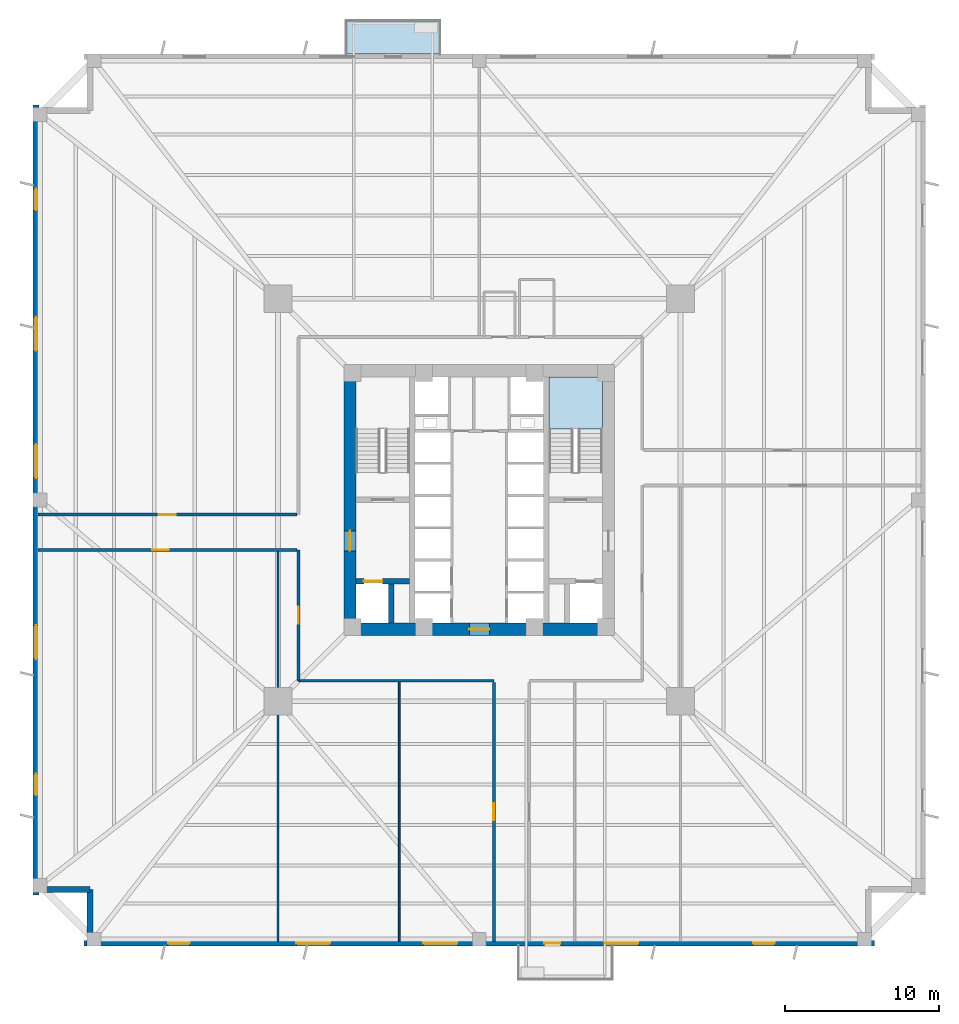
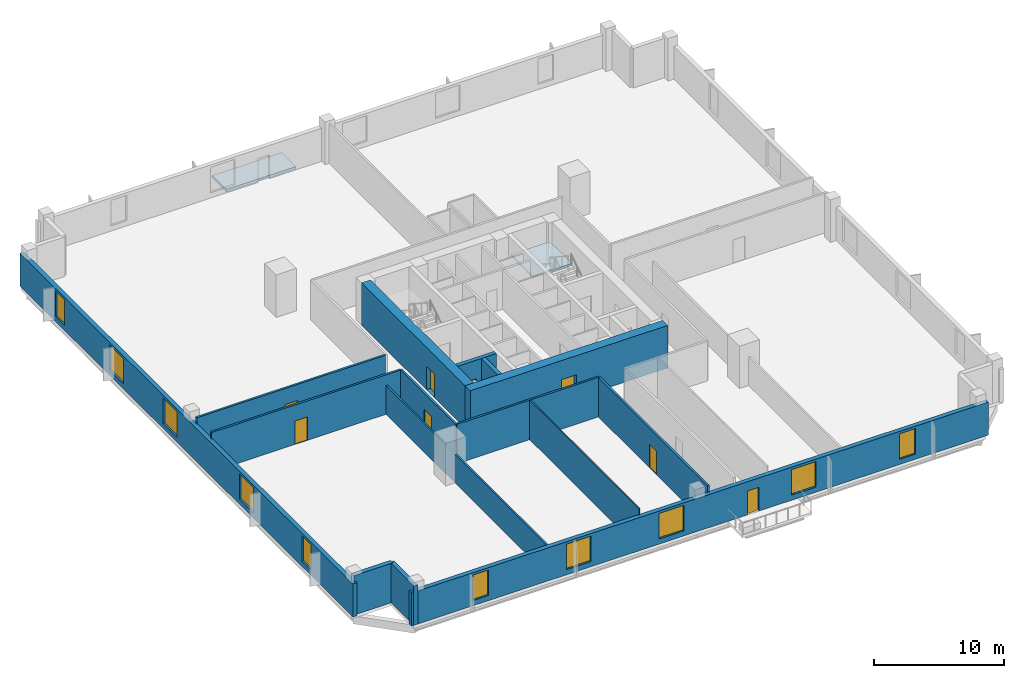
# One storey, part 2 of 8: 15 walls, 10 windows, 8 doors, 2 slabs, 18 openings, 1 element without a shape of its own.
"""IFC4 building model written with IfcOpenShell, lengths in metres."""

from ifc_helpers import new_model, si_unit, direction, frame, frame_2d, origin, place, context, subcontext, project, spatial, polyline, rectangle, outline, extrude, source, transform, mapped, material, layer, layer_set, type_object, element, fill, aggregate, save


model = new_model("IFC4")

# Units and contexts
model_context = context("Model", 3, precision=1e-05, world=origin(), true_north=direction((0.0, 1.0)))
body_context = subcontext(model_context, "Body", "Model", "MODEL_VIEW")
ifc_project = project(units=[si_unit("LENGTHUNIT", "METRE"), si_unit("AREAUNIT", "SQUARE_METRE"), si_unit("VOLUMEUNIT", "CUBIC_METRE"), si_unit("PLANEANGLEUNIT", "RADIAN"), si_unit("MASSUNIT", "GRAM", prefix="KILO"), si_unit("THERMODYNAMICTEMPERATUREUNIT", "KELVIN")], contexts=[model_context])

# Site, building, storey
site_placement = place(None, origin())
site = spatial("IfcSite", under=ifc_project, at=site_placement, CompositionType="ELEMENT")
building_placement = place(site_placement, origin())
building = spatial("IfcBuilding", under=site, at=building_placement, Name="Kosmvard Interchange Tower", CompositionType="ELEMENT")
storey_placement = place(building_placement, frame((0.0, 0.0, 50.0)))
storey = spatial("IfcBuildingStorey", under=building, at=storey_placement, Name="L11", CompositionType="ELEMENT", Elevation=50.0)

# Stair, slab
ifc_material_1 = material(Name="Concrete C50/60", Category="concrete")
stair_type = type_object("IfcStairType", Name="Dog-Leg Core Exit Stair H4000 C50/60", PredefinedType="HALF_TURN_STAIR", material=ifc_material_1)
stair_placement = place(storey_placement, origin())
stair = element("IfcStair", 1, at=stair_placement, inside=storey, type_object=stair_type, Name="L11 Protected Exit Stair ST-2", PredefinedType="HALF_TURN_STAIR")
ifc_layer_1 = layer(ifc_material_1, 0.199951171875, Name="Concrete C50/60")
ifc_layer_set_1 = layer_set([ifc_layer_1], Name="Concrete C50/60")
slab_type_1 = type_object("IfcSlabType", Name="Stair Half-Landing Slab 200 C50/60", PredefinedType="LANDING", material=ifc_layer_set_1)
slab_1_placement = place(storey_placement, frame((0.0, 0.0, 1.800048828125)))
slab_1 = element("IfcSlab", 2, at=slab_1_placement, type_object=slab_type_1, Name="ST-2 landing 1", PredefinedType="LANDING", context=body_context, shape_type="SweptSolid", body=[
    extrude(outline(polyline([(8.0, 4.60009765625), (8.0, 8.0), (4.5400390625, 8.0), (4.5400390625, 4.60009765625), (8.0, 4.60009765625)])), origin(), (0.0, 0.0, 1.0), 0.199951171875),
])
aggregate(stair, [slab_1])

# Slab
ifc_layer_2 = layer(ifc_material_1, 0.22998046875, Name="Concrete C50/60")
ifc_layer_set_2 = layer_set([ifc_layer_2], Name="Concrete C50/60")
slab_type_2 = type_object("IfcSlabType", Name="Tree-Planter Cantilever Balcony Slab 230 C50/60", PredefinedType="FLOOR", material=ifc_layer_set_2)
slab_2_placement = place(storey_placement, frame((0.0, 0.0, -0.22998046875)))
element("IfcSlab", 3, at=slab_2_placement, inside=storey, type_object=slab_type_2, Name="L11 Outdoor Terrace Balcony Slab BAL-L11-NE", PredefinedType="FLOOR", context=body_context, shape_type="SweptSolid", body=[
    extrude(outline(polyline([(-8.699951171875, 29.0), (-2.5, 29.0), (-2.5, 31.199951171875), (-8.699951171875, 31.199951171875), (-8.699951171875, 29.0)])), origin(), (0.0, 0.0, 1.0), 0.22998046875),
])

# Walls
ifc_material_2 = material(Name="Acoustic gypsum partition system")
ifc_layer_3 = layer(ifc_material_2, 0.14990234375, Name="Acoustic gypsum partition system")
ifc_layer_set_3 = layer_set([ifc_layer_3], Name="Acoustic gypsum partition system")
wall_type_1 = type_object("IfcWallType", Name="Acoustic Suite & Meeting Partition 150", PredefinedType="PARTITIONING", material=ifc_layer_set_3)
wall_1_placement = place(storey_placement, frame((-13.0810546875, -28.68505859375, 0.0), z_axis=(0.0, 0.0, 1.0), x_axis=(0.0, 1.0, 0.0)))
element("IfcWall", 4, at=wall_1_placement, inside=storey, type_object=wall_type_1, Name="L11 Room Partition 04.1", PredefinedType="PARTITIONING", context=body_context, shape_type="SweptSolid", body=[
    extrude(rectangle(XDim=25.340087890625, YDim=0.14990234375, at=frame_2d((12.669921875, 0.0))), origin(), (0.0, 0.0, 1.0), 2.7119140625),
])
ifc_material_3 = material(Name="Fire-rated gypsum partition system")
ifc_layer_4 = layer(ifc_material_3, 0.179931640625, Name="Fire-rated gypsum partition system")
ifc_layer_set_4 = layer_set([ifc_layer_4], Name="Fire-rated gypsum partition system")
wall_type_2 = type_object("IfcWallType", Name="Corridor & Hotel Compartment Partition 180", PredefinedType="PARTITIONING", material=ifc_layer_set_4)
wall_2_placement = place(storey_placement, frame((-11.75, -11.75, 0.0), z_axis=(0.0, 0.0, 1.0), x_axis=(1.0, 0.0, 0.0)))
element("IfcWall", 5, at=wall_2_placement, inside=storey, type_object=wall_type_2, Name="L11 Corridor Wall CSW", PredefinedType="PARTITIONING", context=body_context, shape_type="SweptSolid", body=[
    extrude(rectangle(XDim=12.699951171875, YDim=0.179931640625, at=frame_2d((6.35009765625, 0.0))), origin(), (0.0, 0.0, 1.0), 3.719970703125),
])

# Wall, opening, door
wall_3_placement = place(storey_placement, frame((-11.75, -11.75, 0.0), z_axis=(0.0, 0.0, 1.0), x_axis=(0.0, 1.0, 0.0)))
wall_3 = element("IfcWall", 6, at=wall_3_placement, inside=storey, type_object=wall_type_2, Name="L11 Corridor Wall CWS", PredefinedType="PARTITIONING", context=body_context, shape_type="SweptSolid", body=[
    extrude(rectangle(XDim=8.5, YDim=0.179931640625, at=frame_2d((4.25, 0.0))), origin(), (0.0, 0.0, 1.0), 3.719970703125),
])
opening_1_placement = place(wall_3_placement, frame((3.699951171875, 0.0, 0.0)))
opening_1 = element("IfcOpeningElement", 7, at=opening_1_placement, cuts=wall_3, Name="Opening L11-D09", PredefinedType="OPENING", context=body_context, shape_type="SweptSolid", body=[
    extrude(rectangle(XDim=1.10009765625, YDim=2.199951171875, at=frame_2d((0.550048828125, 1.10009765625))), frame((0.0, 0.10009765625, 0.0), z_axis=(0.0, -1.0, 0.0), x_axis=(1.0, 0.0, 0.0)), (0.0, 0.0, 1.0), 0.199951171875),
])
ifc_material_4 = material(Name="Engineered oak fire-rated timber", Category="wood")
door_type_1 = type_object("IfcDoorType", Name="Office Suite Entrance Door 1100x2200 FD30S", OperationType="NOTDEFINED", PredefinedType="DOOR", material=ifc_material_4)
shared_shape_1 = source(origin(), body_context, "Body", "SweptSolid", [
    extrude(rectangle(XDim=1.10009765625, YDim=2.199951171875, at=frame_2d((0.550048828125, 1.10009765625))), frame((0.0, 0.02490234375, 0.0), z_axis=(0.0, -1.0, 0.0), x_axis=(1.0, 0.0, 0.0)), (0.0, 0.0, 1.0), 0.050048828125),
])
door_1_placement = place(opening_1_placement, origin())
door_1 = element("IfcDoor", 8, at=door_1_placement, inside=storey, type_object=door_type_1, Name="L11 Breakout Tea Pantry Door", OperationType="SINGLE_SWING_LEFT", OverallHeight=2.199951171875, OverallWidth=1.10009765625, PredefinedType="DOOR", context=body_context, shape_type="MappedRepresentation", body=[
    mapped(shared_shape_1, transform((0.0, 0.0, 0.0), scale=1.0)),
])
fill(opening_1, door_1)

wall_4_placement = place(storey_placement, frame((-28.68505859375, -3.25, 0.0), z_axis=(0.0, 0.0, 1.0), x_axis=(1.0, 0.0, 0.0)))
wall_4 = element("IfcWall", 9, at=wall_4_placement, inside=storey, type_object=wall_type_2, Name="L11 Corridor Wall SWS", PredefinedType="PARTITIONING", context=body_context, shape_type="SweptSolid", body=[
    extrude(rectangle(XDim=16.8349609375, YDim=0.179931640625, at=frame_2d((8.41748046875, 0.0))), origin(), (0.0, 0.0, 1.0), 3.719970703125),
])
opening_2_placement = place(wall_4_placement, frame((7.41650390625, 0.0, 0.0)))
opening_2 = element("IfcOpeningElement", 10, at=opening_2_placement, cuts=wall_4, Name="Opening L11-D08", PredefinedType="OPENING", context=body_context, shape_type="SweptSolid", body=[
    extrude(rectangle(XDim=1.10009765625, YDim=2.199951171875, at=frame_2d((0.550048828125, 1.10009765625))), frame((0.0, 0.10009765625, 0.0), z_axis=(0.0, -1.0, 0.0), x_axis=(1.0, 0.0, 0.0)), (0.0, 0.0, 1.0), 0.199951171875),
])
door_2_placement = place(opening_2_placement, frame((1.10009765625, 0.0, 0.0), z_axis=(0.0, 0.0, 1.0), x_axis=(-1.0, 0.0, 0.0)))
door_2 = element("IfcDoor", 11, at=door_2_placement, inside=storey, type_object=door_type_1, Name="L11 West Open Design Studio Door", OperationType="SINGLE_SWING_RIGHT", OverallHeight=2.199951171875, OverallWidth=1.10009765625, PredefinedType="DOOR", context=body_context, shape_type="MappedRepresentation", body=[
    mapped(shared_shape_1, transform((0.0, 0.0, 0.0), scale=1.0)),
])
fill(opening_2, door_2)

wall_5_placement = place(storey_placement, frame((-28.68505859375, -0.949951171875, 0.0), z_axis=(0.0, 0.0, 1.0), x_axis=(1.0, 0.0, 0.0)))
wall_5 = element("IfcWall", 12, at=wall_5_placement, inside=storey, type_object=wall_type_2, Name="L11 Corridor Wall SWN", PredefinedType="PARTITIONING", context=body_context, shape_type="SweptSolid", body=[
    extrude(rectangle(XDim=16.8349609375, YDim=0.179931640625, at=frame_2d((8.41748046875, 0.0))), origin(), (0.0, 0.0, 1.0), 3.719970703125),
])
opening_3_placement = place(wall_5_placement, frame((7.867431640625, 0.0, 0.0)))
opening_3 = element("IfcOpeningElement", 13, at=opening_3_placement, cuts=wall_5, Name="Opening L11-D03", PredefinedType="OPENING", context=body_context, shape_type="SweptSolid", body=[
    extrude(rectangle(XDim=1.10009765625, YDim=2.199951171875, at=frame_2d((0.550048828125, 1.10009765625))), frame((0.0, 0.10009765625, 0.0), z_axis=(0.0, -1.0, 0.0), x_axis=(1.0, 0.0, 0.0)), (0.0, 0.0, 1.0), 0.199951171875),
])
door_3_placement = place(opening_3_placement, origin())
door_3 = element("IfcDoor", 14, at=door_3_placement, inside=storey, type_object=door_type_1, Name="L11 Technical Reference Library Door", OperationType="SINGLE_SWING_LEFT", OverallHeight=2.199951171875, OverallWidth=1.10009765625, PredefinedType="DOOR", context=body_context, shape_type="MappedRepresentation", body=[
    mapped(shared_shape_1, transform((0.0, 0.0, 0.0), scale=1.0)),
])
fill(opening_3, door_3)

wall_6_placement = place(storey_placement, frame((0.949951171875, -28.68505859375, 0.0), z_axis=(0.0, 0.0, 1.0), x_axis=(0.0, 1.0, 0.0)))
wall_6 = element("IfcWall", 15, at=wall_6_placement, inside=storey, type_object=wall_type_2, Name="L11 Corridor Wall SSW", PredefinedType="PARTITIONING", context=body_context, shape_type="SweptSolid", body=[
    extrude(rectangle(XDim=16.8349609375, YDim=0.179931640625, at=frame_2d((8.41748046875, 0.0))), origin(), (0.0, 0.0, 1.0), 3.719970703125),
])
opening_4_placement = place(wall_6_placement, frame((7.867431640625, 0.0, 0.0)))
opening_4 = element("IfcOpeningElement", 16, at=opening_4_placement, cuts=wall_6, Name="Opening L11-D10", PredefinedType="OPENING", context=body_context, shape_type="SweptSolid", body=[
    extrude(rectangle(XDim=1.10009765625, YDim=2.199951171875, at=frame_2d((0.550048828125, 1.10009765625))), frame((0.0, 0.10009765625, 0.0), z_axis=(0.0, -1.0, 0.0), x_axis=(1.0, 0.0, 0.0)), (0.0, 0.0, 1.0), 0.199951171875),
])
door_4_placement = place(opening_4_placement, origin())
door_4 = element("IfcDoor", 17, at=door_4_placement, inside=storey, type_object=door_type_1, Name="L11 Tenant Archive Store Door", OperationType="SINGLE_SWING_RIGHT", OverallHeight=2.199951171875, OverallWidth=1.10009765625, PredefinedType="DOOR", context=body_context, shape_type="MappedRepresentation", body=[
    mapped(shared_shape_1, transform((0.0, 0.0, 0.0), scale=1.0)),
])
fill(opening_4, door_4)

ifc_material_5 = material(Name="Concrete C80/95", Category="concrete")
ifc_layer_5 = layer(ifc_material_5, 0.800048828125, Name="Concrete C80/95")
ifc_layer_set_5 = layer_set([ifc_layer_5], Name="Concrete C80/95")
wall_type_3 = type_object("IfcWallType", Name="Lower Core Shear Wall 800 C80/95", PredefinedType="SHEAR", material=ifc_layer_set_5)
wall_7_placement = place(storey_placement, frame((-8.800048828125, -8.39990234375, 0.0), z_axis=(0.0, 0.0, 1.0), x_axis=(1.0, 0.0, 0.0)))
wall_7 = element("IfcWall", 18, at=wall_7_placement, inside=storey, type_object=wall_type_3, Name="L11 Core Shear Wall CW-S", PredefinedType="SHEAR", context=body_context, shape_type="SweptSolid", body=[
    extrude(rectangle(XDim=17.60009765625, YDim=0.800048828125, at=frame_2d((8.800048828125, 0.0))), origin(), (0.0, 0.0, 1.0), 4.0),
])
opening_5_placement = place(wall_7_placement, frame((8.14990234375, 0.0, 0.0)))
opening_5 = element("IfcOpeningElement", 19, at=opening_5_placement, cuts=wall_7, Name="Opening L11-LD0", PredefinedType="OPENING", context=body_context, shape_type="SweptSolid", body=[
    extrude(rectangle(XDim=1.300048828125, YDim=2.199951171875, at=frame_2d((0.64990234375, 1.10009765625))), frame((0.0, 0.41015625, 0.0), z_axis=(0.0, -1.0, 0.0), x_axis=(1.0, 0.0, 0.0)), (0.0, 0.0, 1.0), 0.820068359375),
])
ifc_material_6 = material(Name="Painted fire-rated steel leaf", Category="steel")
door_type_2 = type_object("IfcDoorType", Name="Firefighting Lobby Door 1300x2200 EI60", OperationType="NOTDEFINED", PredefinedType="DOOR", material=ifc_material_6)
shared_shape_2 = source(origin(), body_context, "Body", "SweptSolid", [
    extrude(rectangle(XDim=1.300048828125, YDim=2.199951171875, at=frame_2d((0.64990234375, 1.10009765625))), frame((0.0, 0.02490234375, 0.0), z_axis=(0.0, -1.0, 0.0), x_axis=(1.0, 0.0, 0.0)), (0.0, 0.0, 1.0), 0.050048828125),
])
door_5_placement = place(opening_5_placement, frame((1.300048828125, 0.0, 0.0), z_axis=(0.0, 0.0, 1.0), x_axis=(-1.0, 0.0, 0.0)))
door_5 = element("IfcDoor", 20, at=door_5_placement, inside=storey, type_object=door_type_2, Name="L11 Passenger Lift Lobby South Door", OperationType="SINGLE_SWING_LEFT", OverallHeight=2.199951171875, OverallWidth=1.300048828125, PredefinedType="DOOR", context=body_context, shape_type="MappedRepresentation", body=[
    mapped(shared_shape_2, transform((0.0, 0.0, 0.0), scale=1.0)),
])
fill(opening_5, door_5)

wall_8_placement = place(storey_placement, frame((-8.39990234375, -8.0, 0.0), z_axis=(0.0, 0.0, 1.0), x_axis=(0.0, 1.0, 0.0)))
wall_8 = element("IfcWall", 21, at=wall_8_placement, inside=storey, type_object=wall_type_3, Name="L11 Core Shear Wall CW-W", PredefinedType="SHEAR", context=body_context, shape_type="SweptSolid", body=[
    extrude(rectangle(XDim=16.0, YDim=0.800048828125, at=frame_2d((8.0, 0.0))), origin(), (0.0, 0.0, 1.0), 4.0),
])
opening_6_placement = place(wall_8_placement, frame((4.68994140625, 0.0, 0.0)))
opening_6 = element("IfcOpeningElement", 22, at=opening_6_placement, cuts=wall_8, Name="Opening L11-FD1", PredefinedType="OPENING", context=body_context, shape_type="SweptSolid", body=[
    extrude(rectangle(XDim=1.300048828125, YDim=2.199951171875, at=frame_2d((0.64990234375, 1.10009765625))), frame((0.0, 0.41015625, 0.0), z_axis=(0.0, -1.0, 0.0), x_axis=(1.0, 0.0, 0.0)), (0.0, 0.0, 1.0), 0.820068359375),
])
door_6_placement = place(opening_6_placement, frame((1.300048828125, 0.0, 0.0), z_axis=(0.0, 0.0, 1.0), x_axis=(-1.0, 0.0, 0.0)))
door_6 = element("IfcDoor", 23, at=door_6_placement, inside=storey, type_object=door_type_2, Name="L11 Firefighting Lobby West Door", OperationType="SINGLE_SWING_LEFT", OverallHeight=2.199951171875, OverallWidth=1.300048828125, PredefinedType="DOOR", context=body_context, shape_type="MappedRepresentation", body=[
    mapped(shared_shape_2, transform((0.0, 0.0, 0.0), scale=1.0)),
])
fill(opening_6, door_6)

# Wall, openings, door, windows
ifc_material_7 = material(Name="Precast concrete C45/55", Category="concrete")
ifc_layer_6 = layer(ifc_material_7, 0.3798828125, Name="Precast concrete C45/55")
ifc_layer_set_6 = layer_set([ifc_layer_6], Name="Precast concrete C45/55")
wall_type_4 = type_object("IfcWallType", Name="Lower Tower Precast Pier Wall 380 C45/55", PredefinedType="STANDARD", material=ifc_layer_set_6)
wall_9_placement = place(storey_placement, frame((-25.68994140625, -28.81005859375, 0.0), z_axis=(0.0, 0.0, 1.0), x_axis=(1.0, 0.0, 0.0)))
wall_9 = element("IfcWall", 24, at=wall_9_placement, inside=storey, type_object=wall_type_4, Name="L11 Precast Facade Wall F-S", PredefinedType="STANDARD", context=body_context, shape_type="SweptSolid", body=[
    extrude(rectangle(XDim=51.3798828125, YDim=0.3798828125, at=frame_2d((25.68994140625, 0.0))), origin(), (0.0, 0.0, 1.0), 3.1201171875),
])
opening_7_placement = place(wall_9_placement, frame((29.9150390625, 0.0, 0.0)))
opening_7 = element("IfcOpeningElement", 25, at=opening_7_placement, cuts=wall_9, Name="Opening L11-BDW", PredefinedType="OPENING", context=body_context, shape_type="SweptSolid", body=[
    extrude(rectangle(XDim=1.050048828125, YDim=2.25, at=frame_2d((0.52490234375, 1.125))), frame((0.0, 0.199951171875, 0.0), z_axis=(0.0, -1.0, 0.0), x_axis=(1.0, 0.0, 0.0)), (0.0, 0.0, 1.0), 0.39990234375),
])
opening_8_placement = place(wall_9_placement, frame((5.465576171875, 0.0, 0.489990234375)))
opening_8 = element("IfcOpeningElement", 26, at=opening_8_placement, cuts=wall_9, Name="Opening L11-W01", PredefinedType="OPENING", context=body_context, shape_type="SweptSolid", body=[
    extrude(rectangle(XDim=1.39990234375, YDim=2.39990234375, at=frame_2d((0.699951171875, 1.199951171875))), frame((0.0, 0.199951171875, 0.0), z_axis=(0.0, -1.0, 0.0), x_axis=(1.0, 0.0, 0.0)), (0.0, 0.0, 1.0), 0.39990234375),
])
opening_9_placement = place(wall_9_placement, frame((13.80029296875, 0.0, 0.489990234375)))
opening_9 = element("IfcOpeningElement", 27, at=opening_9_placement, cuts=wall_9, Name="Opening L11-W02", PredefinedType="OPENING", context=body_context, shape_type="SweptSolid", body=[
    extrude(rectangle(XDim=2.199951171875, YDim=2.39990234375, at=frame_2d((1.10009765625, 1.199951171875))), frame((0.0, 0.199951171875, 0.0), z_axis=(0.0, -1.0, 0.0), x_axis=(1.0, 0.0, 0.0)), (0.0, 0.0, 1.0), 0.39990234375),
])
opening_10_placement = place(wall_9_placement, frame((22.0625, 0.0, 0.489990234375)))
opening_10 = element("IfcOpeningElement", 28, at=opening_10_placement, cuts=wall_9, Name="Opening L11-W03", PredefinedType="OPENING", context=body_context, shape_type="SweptSolid", body=[
    extrude(rectangle(XDim=2.199951171875, YDim=2.39990234375, at=frame_2d((1.10009765625, 1.199951171875))), frame((0.0, 0.199951171875, 0.0), z_axis=(0.0, -1.0, 0.0), x_axis=(1.0, 0.0, 0.0)), (0.0, 0.0, 1.0), 0.39990234375),
])
opening_11_placement = place(wall_9_placement, frame((33.83837890625, 0.0, 0.489990234375)))
opening_11 = element("IfcOpeningElement", 29, at=opening_11_placement, cuts=wall_9, Name="Opening L11-W04", PredefinedType="OPENING", context=body_context, shape_type="SweptSolid", body=[
    extrude(rectangle(XDim=2.199951171875, YDim=2.39990234375, at=frame_2d((1.10009765625, 1.199951171875))), frame((0.0, 0.199951171875, 0.0), z_axis=(0.0, -1.0, 0.0), x_axis=(1.0, 0.0, 0.0)), (0.0, 0.0, 1.0), 0.39990234375),
])
opening_12_placement = place(wall_9_placement, frame((43.48681640625, 0.0, 0.489990234375)))
opening_12 = element("IfcOpeningElement", 30, at=opening_12_placement, cuts=wall_9, Name="Opening L11-W05", PredefinedType="OPENING", context=body_context, shape_type="SweptSolid", body=[
    extrude(rectangle(XDim=1.39990234375, YDim=2.39990234375, at=frame_2d((0.699951171875, 1.199951171875))), frame((0.0, 0.199951171875, 0.0), z_axis=(0.0, -1.0, 0.0), x_axis=(1.0, 0.0, 0.0)), (0.0, 0.0, 1.0), 0.39990234375),
])
ifc_material_8 = material(Name="Anodised aluminium and safety glass", Category="aluminium")
door_type_3 = type_object("IfcDoorType", Name="Tree-Balcony Glazed Door 1050x2250", OperationType="NOTDEFINED", PredefinedType="DOOR", material=ifc_material_8)
shared_shape_3 = source(origin(), body_context, "Body", "SweptSolid", [
    extrude(rectangle(XDim=1.050048828125, YDim=2.25, at=frame_2d((0.52490234375, 1.125))), frame((0.0, 0.02490234375, 0.0), z_axis=(0.0, -1.0, 0.0), x_axis=(1.0, 0.0, 0.0)), (0.0, 0.0, 1.0), 0.050048828125),
])
door_7_placement = place(opening_7_placement, origin())
door_7 = element("IfcDoor", 31, at=door_7_placement, inside=storey, type_object=door_type_3, Name="L11 Tree-Balcony Door BAL-L11-SW", OperationType="SINGLE_SWING_RIGHT", OverallHeight=2.25, OverallWidth=1.050048828125, PredefinedType="DOOR", context=body_context, shape_type="MappedRepresentation", body=[
    mapped(shared_shape_3, transform((0.0, 0.0, 0.0), scale=1.0)),
])
fill(opening_7, door_7)
ifc_material_9 = material(Name="Low-E solar-control double glazing", Category="glass")
window_type_1 = type_object("IfcWindowType", Name="Notched Corner Feature Window 1400x2400", PartitioningType="SINGLE_PANEL", PredefinedType="WINDOW", material=ifc_material_9)
shared_shape_4 = source(origin(), body_context, "Body", "SweptSolid", [
    extrude(rectangle(XDim=1.39990234375, YDim=2.39990234375, at=frame_2d((0.699951171875, 1.199951171875))), frame((0.0, 0.030029296875, 0.0), z_axis=(0.0, -1.0, 0.0), x_axis=(1.0, 0.0, 0.0)), (0.0, 0.0, 1.0), 0.06005859375),
])
window_1_placement = place(opening_8_placement, origin())
window_1 = element("IfcWindow", 32, at=window_1_placement, inside=storey, type_object=window_type_1, Name="L11 Facade Punched Window 01", OverallHeight=2.39990234375, OverallWidth=1.39990234375, PartitioningType="SINGLE_PANEL", PredefinedType="WINDOW", context=body_context, shape_type="MappedRepresentation", body=[
    mapped(shared_shape_4, transform((0.0, 0.0, 0.0), scale=1.0)),
])
fill(opening_8, window_1)
window_2_placement = place(opening_12_placement, origin())
window_2 = element("IfcWindow", 33, at=window_2_placement, inside=storey, type_object=window_type_1, Name="L11 Facade Punched Window 05", OverallHeight=2.39990234375, OverallWidth=1.39990234375, PartitioningType="SINGLE_PANEL", PredefinedType="WINDOW", context=body_context, shape_type="MappedRepresentation", body=[
    mapped(shared_shape_4, transform((0.0, 0.0, 0.0), scale=1.0)),
])
fill(opening_12, window_2)
window_type_2 = type_object("IfcWindowType", Name="Zone 1 Office Punched Window 2200x2400", PartitioningType="SINGLE_PANEL", PredefinedType="WINDOW", material=ifc_material_9)
shared_shape_5 = source(origin(), body_context, "Body", "SweptSolid", [
    extrude(rectangle(XDim=2.199951171875, YDim=2.39990234375, at=frame_2d((1.10009765625, 1.199951171875))), frame((0.0, 0.030029296875, 0.0), z_axis=(0.0, -1.0, 0.0), x_axis=(1.0, 0.0, 0.0)), (0.0, 0.0, 1.0), 0.06005859375),
])
window_3_placement = place(opening_9_placement, origin())
window_3 = element("IfcWindow", 34, at=window_3_placement, inside=storey, type_object=window_type_2, Name="L11 Facade Punched Window 02", OverallHeight=2.39990234375, OverallWidth=2.199951171875, PartitioningType="SINGLE_PANEL", PredefinedType="WINDOW", context=body_context, shape_type="MappedRepresentation", body=[
    mapped(shared_shape_5, transform((0.0, 0.0, 0.0), scale=1.0)),
])
fill(opening_9, window_3)
window_4_placement = place(opening_10_placement, origin())
window_4 = element("IfcWindow", 35, at=window_4_placement, inside=storey, type_object=window_type_2, Name="L11 Facade Punched Window 03", OverallHeight=2.39990234375, OverallWidth=2.199951171875, PartitioningType="SINGLE_PANEL", PredefinedType="WINDOW", context=body_context, shape_type="MappedRepresentation", body=[
    mapped(shared_shape_5, transform((0.0, 0.0, 0.0), scale=1.0)),
])
fill(opening_10, window_4)
window_5_placement = place(opening_11_placement, origin())
window_5 = element("IfcWindow", 36, at=window_5_placement, inside=storey, type_object=window_type_2, Name="L11 Facade Punched Window 04", OverallHeight=2.39990234375, OverallWidth=2.199951171875, PartitioningType="SINGLE_PANEL", PredefinedType="WINDOW", context=body_context, shape_type="MappedRepresentation", body=[
    mapped(shared_shape_5, transform((0.0, 0.0, 0.0), scale=1.0)),
])
fill(opening_11, window_5)

# Wall, openings, windows
wall_10_placement = place(storey_placement, frame((-28.81005859375, 25.68994140625, 0.0), z_axis=(0.0, 0.0, 1.0), x_axis=(0.0, -1.0, 0.0)))
wall_10 = element("IfcWall", 37, at=wall_10_placement, inside=storey, type_object=wall_type_4, Name="L11 Precast Facade Wall F-W", PredefinedType="STANDARD", context=body_context, shape_type="SweptSolid", body=[
    extrude(rectangle(XDim=51.3798828125, YDim=0.3798828125, at=frame_2d((25.68994140625, 0.0))), origin(), (0.0, 0.0, 1.0), 3.1201171875),
])
opening_13_placement = place(wall_10_placement, frame((5.465576171875, 0.0, 0.489990234375)))
opening_13 = element("IfcOpeningElement", 38, at=opening_13_placement, cuts=wall_10, Name="Opening L11-W16", PredefinedType="OPENING", context=body_context, shape_type="SweptSolid", body=[
    extrude(rectangle(XDim=1.39990234375, YDim=2.39990234375, at=frame_2d((0.699951171875, 1.199951171875))), frame((0.0, 0.199951171875, 0.0), z_axis=(0.0, -1.0, 0.0), x_axis=(1.0, 0.0, 0.0)), (0.0, 0.0, 1.0), 0.39990234375),
])
opening_14_placement = place(wall_10_placement, frame((13.80029296875, 0.0, 0.489990234375)))
opening_14 = element("IfcOpeningElement", 39, at=opening_14_placement, cuts=wall_10, Name="Opening L11-W17", PredefinedType="OPENING", context=body_context, shape_type="SweptSolid", body=[
    extrude(rectangle(XDim=2.199951171875, YDim=2.39990234375, at=frame_2d((1.10009765625, 1.199951171875))), frame((0.0, 0.199951171875, 0.0), z_axis=(0.0, -1.0, 0.0), x_axis=(1.0, 0.0, 0.0)), (0.0, 0.0, 1.0), 0.39990234375),
])
opening_15_placement = place(wall_10_placement, frame((22.0625, 0.0, 0.489990234375)))
opening_15 = element("IfcOpeningElement", 40, at=opening_15_placement, cuts=wall_10, Name="Opening L11-W18", PredefinedType="OPENING", context=body_context, shape_type="SweptSolid", body=[
    extrude(rectangle(XDim=2.199951171875, YDim=2.39990234375, at=frame_2d((1.10009765625, 1.199951171875))), frame((0.0, 0.199951171875, 0.0), z_axis=(0.0, -1.0, 0.0), x_axis=(1.0, 0.0, 0.0)), (0.0, 0.0, 1.0), 0.39990234375),
])
opening_16_placement = place(wall_10_placement, frame((33.83837890625, 0.0, 0.489990234375)))
opening_16 = element("IfcOpeningElement", 41, at=opening_16_placement, cuts=wall_10, Name="Opening L11-W19", PredefinedType="OPENING", context=body_context, shape_type="SweptSolid", body=[
    extrude(rectangle(XDim=2.199951171875, YDim=2.39990234375, at=frame_2d((1.10009765625, 1.199951171875))), frame((0.0, 0.199951171875, 0.0), z_axis=(0.0, -1.0, 0.0), x_axis=(1.0, 0.0, 0.0)), (0.0, 0.0, 1.0), 0.39990234375),
])
opening_17_placement = place(wall_10_placement, frame((43.48681640625, 0.0, 0.489990234375)))
opening_17 = element("IfcOpeningElement", 42, at=opening_17_placement, cuts=wall_10, Name="Opening L11-W20", PredefinedType="OPENING", context=body_context, shape_type="SweptSolid", body=[
    extrude(rectangle(XDim=1.39990234375, YDim=2.39990234375, at=frame_2d((0.699951171875, 1.199951171875))), frame((0.0, 0.199951171875, 0.0), z_axis=(0.0, -1.0, 0.0), x_axis=(1.0, 0.0, 0.0)), (0.0, 0.0, 1.0), 0.39990234375),
])
window_6_placement = place(opening_13_placement, origin())
window_6 = element("IfcWindow", 43, at=window_6_placement, inside=storey, type_object=window_type_1, Name="L11 Facade Punched Window 16", OverallHeight=2.39990234375, OverallWidth=1.39990234375, PartitioningType="SINGLE_PANEL", PredefinedType="WINDOW", context=body_context, shape_type="MappedRepresentation", body=[
    mapped(shared_shape_4, transform((0.0, 0.0, 0.0), scale=1.0)),
])
fill(opening_13, window_6)
window_7_placement = place(opening_17_placement, origin())
window_7 = element("IfcWindow", 44, at=window_7_placement, inside=storey, type_object=window_type_1, Name="L11 Facade Punched Window 20", OverallHeight=2.39990234375, OverallWidth=1.39990234375, PartitioningType="SINGLE_PANEL", PredefinedType="WINDOW", context=body_context, shape_type="MappedRepresentation", body=[
    mapped(shared_shape_4, transform((0.0, 0.0, 0.0), scale=1.0)),
])
fill(opening_17, window_7)
window_8_placement = place(opening_14_placement, origin())
window_8 = element("IfcWindow", 45, at=window_8_placement, inside=storey, type_object=window_type_2, Name="L11 Facade Punched Window 17", OverallHeight=2.39990234375, OverallWidth=2.199951171875, PartitioningType="SINGLE_PANEL", PredefinedType="WINDOW", context=body_context, shape_type="MappedRepresentation", body=[
    mapped(shared_shape_5, transform((0.0, 0.0, 0.0), scale=1.0)),
])
fill(opening_14, window_8)
window_9_placement = place(opening_15_placement, origin())
window_9 = element("IfcWindow", 46, at=window_9_placement, inside=storey, type_object=window_type_2, Name="L11 Facade Punched Window 18", OverallHeight=2.39990234375, OverallWidth=2.199951171875, PartitioningType="SINGLE_PANEL", PredefinedType="WINDOW", context=body_context, shape_type="MappedRepresentation", body=[
    mapped(shared_shape_5, transform((0.0, 0.0, 0.0), scale=1.0)),
])
fill(opening_15, window_9)
window_10_placement = place(opening_16_placement, origin())
window_10 = element("IfcWindow", 47, at=window_10_placement, inside=storey, type_object=window_type_2, Name="L11 Facade Punched Window 19", OverallHeight=2.39990234375, OverallWidth=2.199951171875, PartitioningType="SINGLE_PANEL", PredefinedType="WINDOW", context=body_context, shape_type="MappedRepresentation", body=[
    mapped(shared_shape_5, transform((0.0, 0.0, 0.0), scale=1.0)),
])
fill(opening_16, window_10)

# Walls
wall_11_placement = place(storey_placement, frame((-28.81005859375, -25.31005859375, 0.0), z_axis=(0.0, 0.0, 1.0), x_axis=(1.0, 0.0, 0.0)))
element("IfcWall", 48, at=wall_11_placement, inside=storey, type_object=wall_type_4, Name="L11 Precast Facade Wall N-SW1", PredefinedType="STANDARD", context=body_context, shape_type="SweptSolid", body=[
    extrude(rectangle(XDim=3.5, YDim=0.3798828125, at=frame_2d((1.75, 0.0))), origin(), (0.0, 0.0, 1.0), 3.719970703125),
])
wall_12_placement = place(storey_placement, frame((-25.31005859375, -25.31005859375, 0.0), z_axis=(0.0, 0.0, 1.0), x_axis=(0.0, -1.0, 0.0)))
element("IfcWall", 49, at=wall_12_placement, inside=storey, type_object=wall_type_4, Name="L11 Precast Facade Wall N-SW2", PredefinedType="STANDARD", context=body_context, shape_type="SweptSolid", body=[
    extrude(rectangle(XDim=3.68994140625, YDim=0.3798828125, at=frame_2d((1.844970703125, 0.0))), origin(), (0.0, 0.0, 1.0), 3.719970703125),
])
ifc_material_10 = material(Name="Gypsum board partition system")
ifc_layer_7 = layer(ifc_material_10, 0.1201171875, Name="Gypsum board partition system")
ifc_layer_set_7 = layer_set([ifc_layer_7], Name="Gypsum board partition system")
wall_type_5 = type_object("IfcWallType", Name="Office Cellular Partition 120", PredefinedType="PARTITIONING", material=ifc_layer_set_7)
wall_13_placement = place(storey_placement, frame((-5.199951171875, -28.68505859375, 0.0), z_axis=(0.0, 0.0, 1.0), x_axis=(0.0, 1.0, 0.0)))
element("IfcWall", 50, at=wall_13_placement, inside=storey, type_object=wall_type_5, Name="L11 Room Partition 05.1", PredefinedType="PARTITIONING", context=body_context, shape_type="SweptSolid", body=[
    extrude(rectangle(XDim=16.840087890625, YDim=0.1201171875, at=frame_2d((8.419921875, 0.0))), origin(), (0.0, 0.0, 1.0), 3.719970703125),
])

# Wall, opening, door
ifc_material_11 = material(Name="Concrete C60/75", Category="concrete")
ifc_layer_8 = layer(ifc_material_11, 0.360107421875, Name="Concrete C60/75")
ifc_layer_set_8 = layer_set([ifc_layer_8], Name="Concrete C60/75")
wall_type_6 = type_object("IfcWallType", Name="Stair & Lift Shaft Shear Wall 360 C60/75", PredefinedType="SHEAR", material=ifc_layer_set_8)
wall_14_placement = place(storey_placement, frame((-8.0, -5.280029296875, 0.0), z_axis=(0.0, 0.0, 1.0), x_axis=(1.0, 0.0, 0.0)))
wall_14 = element("IfcWall", 51, at=wall_14_placement, inside=storey, type_object=wall_type_6, Name="L11 Shaft Shear Wall SW-FF1", PredefinedType="SHEAR", context=body_context, shape_type="SweptSolid", body=[
    extrude(rectangle(XDim=3.4599609375, YDim=0.360107421875, at=frame_2d((1.72998046875, 0.0))), origin(), (0.0, 0.0, 1.0), 4.0),
])
opening_18_placement = place(wall_14_placement, frame((0.5, 0.0, 0.0)))
opening_18 = element("IfcOpeningElement", 52, at=opening_18_placement, cuts=wall_14, Name="Opening LD-FF-1-L11", PredefinedType="OPENING", context=body_context, shape_type="SweptSolid", body=[
    extrude(rectangle(XDim=1.199951171875, YDim=2.25, at=frame_2d((0.60009765625, 1.125))), frame((0.0, 0.18994140625, 0.0), z_axis=(0.0, -1.0, 0.0), x_axis=(1.0, 0.0, 0.0)), (0.0, 0.0, 1.0), 0.380126953125),
])
ifc_material_12 = material(Name="Brushed stainless steel sliding leaf", Category="steel")
door_type_4 = type_object("IfcDoorType", Name="Firefighting Lift Sliding Landing Door 1200x2250 EI120", OperationType="DOUBLE_DOOR_SLIDING", PredefinedType="DOOR", material=ifc_material_12)
shared_shape_6 = source(origin(), body_context, "Body", "SweptSolid", [
    extrude(rectangle(XDim=1.199951171875, YDim=2.25, at=frame_2d((0.60009765625, 1.125))), frame((0.0, 0.02490234375, 0.0), z_axis=(0.0, -1.0, 0.0), x_axis=(1.0, 0.0, 0.0)), (0.0, 0.0, 1.0), 0.050048828125),
])
door_8_placement = place(opening_18_placement, origin())
door_8 = element("IfcDoor", 53, at=door_8_placement, inside=storey, type_object=door_type_4, Name="Lift FF-1 Landing Door L11", OperationType="DOUBLE_DOOR_SLIDING", OverallHeight=2.25, OverallWidth=1.199951171875, PredefinedType="DOOR", context=body_context, shape_type="MappedRepresentation", body=[
    mapped(shared_shape_6, transform((0.0, 0.0, 0.0), scale=1.0)),
])
fill(opening_18, door_8)

# Wall
wall_15_placement = place(storey_placement, frame((-5.7099609375, -8.0, 0.0), z_axis=(0.0, 0.0, 1.0), x_axis=(0.0, 1.0, 0.0)))
element("IfcWall", 54, at=wall_15_placement, inside=storey, type_object=wall_type_6, Name="L11 Shaft Shear Wall SW-SM1", PredefinedType="SHEAR", context=body_context, shape_type="SweptSolid", body=[
    extrude(rectangle(XDim=2.5400390625, YDim=0.360107421875, at=frame_2d((1.27001953125, 0.0))), origin(), (0.0, 0.0, 1.0), 4.0),
])

save(model, "model.ifc")
